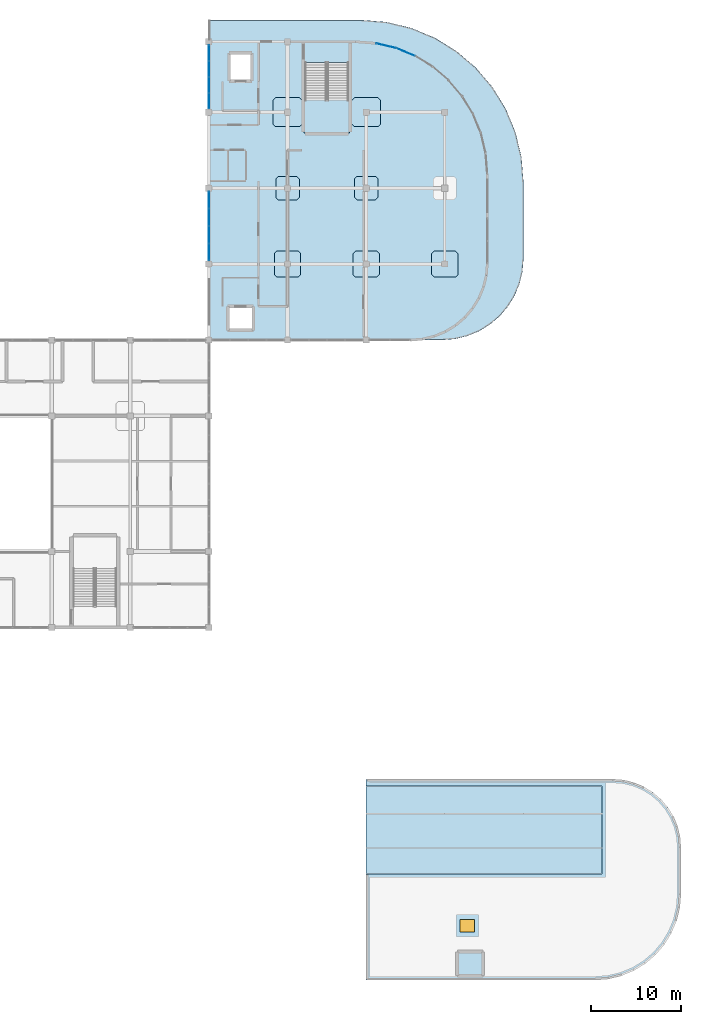
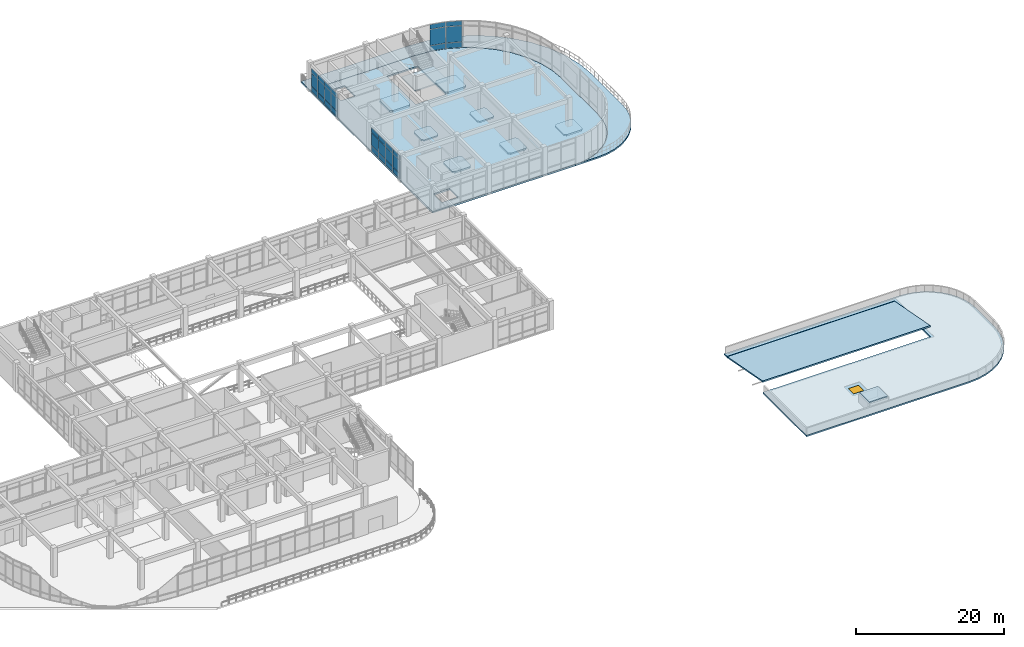
# One storey, part 58 of 76: 30 plates, 13 slabs, 1 window, 1 opening, 5 elements without a shape of their own.
"""IFC4 building model written with IfcOpenShell, lengths in metres."""

from ifc_helpers import new_model, si_unit, derived_unit, direction, frame, origin, origin_2d, place, context, subcontext, project, spatial, polyline, rectangle, outline, extrude, material, layer, layer_set, type_object, element, fill, aggregate, save


model = new_model("IFC4")

# Units and contexts
model_context = context("Model", 3, precision=1e-05, world=origin(), true_north=direction((0.0, 1.0)))
body_context = subcontext(model_context, "Body", "Model", "MODEL_VIEW")
ifc_project = project(units=[si_unit("LENGTHUNIT", "METRE"), si_unit("AREAUNIT", "SQUARE_METRE"), si_unit("VOLUMEUNIT", "CUBIC_METRE"), si_unit("PLANEANGLEUNIT", "RADIAN"), si_unit("MASSUNIT", "GRAM", prefix="KILO"), derived_unit("THERMALTRANSMITTANCEUNIT", [(si_unit("MASSUNIT", "GRAM", prefix="KILO"), 1), (si_unit("TIMEUNIT", "SECOND"), -3), (si_unit("THERMODYNAMICTEMPERATUREUNIT", "KELVIN"), -1)])], contexts=[model_context])

# Site, building, storey
site_placement = place(None, origin())
site = spatial("IfcSite", under=ifc_project, at=site_placement, CompositionType="ELEMENT")
building_placement = place(site_placement, origin())
building = spatial("IfcBuilding", under=site, at=building_placement, Name="Qinzheling Arcade Emporium", CompositionType="ELEMENT")
storey_placement = place(building_placement, frame((0.0, 0.0, 26.699951171875)))
storey = spatial("IfcBuildingStorey", under=building, at=storey_placement, Name="L06", CompositionType="ELEMENT", Elevation=26.699951171875)

# Slabs
ifc_material_1 = material(Name="Concrete C40", Category="concrete")
ifc_layer_1 = layer(ifc_material_1, 0.264892578125, Name="Concrete C40", Category="concrete")
ifc_layer_set_1 = layer_set([ifc_layer_1], Name="Concrete C40")
slab_type_1 = type_object("IfcSlabType", Name="Buying Office Flat Slab 265 C40", PredefinedType="FLOOR", material=ifc_layer_set_1)
slab_1_placement = place(storey_placement, frame((0.0, 0.0, -0.264892578125)))
element("IfcSlab", 1, at=slab_1_placement, inside=storey, type_object=slab_type_1, Name="Floor Slab SLB-L06-V6", PredefinedType="FLOOR", context=body_context, shape_type="SweptSolid", body=[
    extrude(outline(polyline([(104.39990234375, 106.800048828125), (104.39990234375, 73.800048828125), (126.699951171875, 73.800048828125), (128.030029296875, 73.905029296875), (129.326904296875, 74.216064453125), (130.55908203125, 74.72607421875), (131.696044921875, 75.423095703125), (132.7099609375, 76.2900390625), (133.576904296875, 77.303955078125), (134.27392578125, 78.44091796875), (134.783935546875, 79.673095703125), (135.094970703125, 80.969970703125), (135.199951171875, 82.300048828125), (135.199951171875, 92.199951171875), (135.02001953125, 94.48388671875), (134.485107421875, 96.7119140625), (133.60888671875, 98.827880859375), (132.412109375, 100.781982421875), (130.924072265625, 102.52392578125), (129.181884765625, 104.011962890625), (127.22802734375, 105.208984375), (125.112060546875, 106.0849609375), (122.884033203125, 106.6201171875), (120.60009765625, 106.800048828125), (104.39990234375, 106.800048828125)]), holes=[polyline([(119.844970703125, 96.800048828125), (115.054931640625, 96.800048828125), (115.054931640625, 104.47509765625), (119.844970703125, 104.47509765625), (119.844970703125, 96.800048828125)]), polyline([(109.14990234375, 75.050048828125), (106.64990234375, 75.050048828125), (106.64990234375, 77.35009765625), (109.14990234375, 77.35009765625), (109.14990234375, 75.050048828125)]), polyline([(109.0, 102.60009765625), (106.800048828125, 102.60009765625), (106.800048828125, 105.39990234375), (109.0, 105.39990234375), (109.0, 102.60009765625)])]), origin(), (0.0, 0.0, 1.0), 0.264892578125),
])
ifc_layer_2 = layer(ifc_material_1, 0.235107421875, Name="Concrete C40", Category="concrete")
ifc_layer_set_2 = layer_set([ifc_layer_2], Name="Concrete C40")
slab_type_2 = type_object("IfcSlabType", Name="Column Head Drop Panel 2600x2600x235 C40", PredefinedType="USERDEFINED", material=ifc_layer_set_2)
slab_2_placement = place(storey_placement, frame((0.0, 0.0, -0.5)))
element("IfcSlab", 2, at=slab_2_placement, inside=storey, type_object=slab_type_2, Name="Column Drop Panel DP-L06-14-L", ObjectType="DROP_PANEL", PredefinedType="USERDEFINED", context=body_context, shape_type="SweptSolid", body=[
    extrude(outline(polyline([(112.080078125, 89.300048828125), (114.1201171875, 89.300048828125), (114.39990234375, 89.580078125), (114.39990234375, 91.6201171875), (114.1201171875, 91.89990234375), (112.080078125, 91.89990234375), (111.800048828125, 91.6201171875), (111.800048828125, 89.580078125), (112.080078125, 89.300048828125)])), origin(), (0.0, 0.0, 1.0), 0.235107421875),
])
slab_3_placement = place(storey_placement, frame((0.0, 0.0, -0.5)))
element("IfcSlab", 3, at=slab_3_placement, inside=storey, type_object=slab_type_2, Name="Column Drop Panel DP-L06-15-L", ObjectType="DROP_PANEL", PredefinedType="USERDEFINED", context=body_context, shape_type="SweptSolid", body=[
    extrude(outline(polyline([(120.780029296875, 89.300048828125), (122.820068359375, 89.300048828125), (123.10009765625, 89.580078125), (123.10009765625, 91.6201171875), (122.820068359375, 91.89990234375), (120.780029296875, 91.89990234375), (120.5, 91.6201171875), (120.5, 89.580078125), (120.780029296875, 89.300048828125)])), origin(), (0.0, 0.0, 1.0), 0.235107421875),
])
ifc_layer_3 = layer(ifc_material_1, 0.27001953125, Name="Concrete C40", Category="concrete")
ifc_layer_set_3 = layer_set([ifc_layer_3], Name="Concrete C40")
slab_type_3 = type_object("IfcSlabType", Name="Column Head Drop Panel 2900x2900x270 C40", PredefinedType="USERDEFINED", material=ifc_layer_set_3)
slab_4_placement = place(storey_placement, frame((0.0, 0.0, -0.534912109375)))
element("IfcSlab", 4, at=slab_4_placement, inside=storey, type_object=slab_type_3, Name="Column Drop Panel DP-L06-14-K", ObjectType="DROP_PANEL", PredefinedType="USERDEFINED", context=body_context, shape_type="SweptSolid", body=[
    extrude(outline(polyline([(111.929931640625, 80.75), (114.27001953125, 80.75), (114.550048828125, 81.030029296875), (114.550048828125, 83.3701171875), (114.27001953125, 83.64990234375), (111.929931640625, 83.64990234375), (111.64990234375, 83.3701171875), (111.64990234375, 81.030029296875), (111.929931640625, 80.75)])), origin(), (0.0, 0.0, 1.0), 0.27001953125),
])
slab_5_placement = place(storey_placement, frame((0.0, 0.0, -0.534912109375)))
element("IfcSlab", 5, at=slab_5_placement, inside=storey, type_object=slab_type_3, Name="Column Drop Panel DP-L06-15-K", ObjectType="DROP_PANEL", PredefinedType="USERDEFINED", context=body_context, shape_type="SweptSolid", body=[
    extrude(outline(polyline([(120.6298828125, 80.75), (122.969970703125, 80.75), (123.25, 81.030029296875), (123.25, 83.3701171875), (122.969970703125, 83.64990234375), (120.6298828125, 83.64990234375), (120.35009765625, 83.3701171875), (120.35009765625, 81.030029296875), (120.6298828125, 80.75)])), origin(), (0.0, 0.0, 1.0), 0.27001953125),
])
slab_6_placement = place(storey_placement, frame((0.0, 0.0, -0.534912109375)))
element("IfcSlab", 6, at=slab_6_placement, inside=storey, type_object=slab_type_3, Name="Column Drop Panel DP-L06-16-K", ObjectType="DROP_PANEL", PredefinedType="USERDEFINED", context=body_context, shape_type="SweptSolid", body=[
    extrude(outline(polyline([(129.330078125, 80.75), (131.669921875, 80.75), (131.949951171875, 81.030029296875), (131.949951171875, 83.3701171875), (131.669921875, 83.64990234375), (129.330078125, 83.64990234375), (129.050048828125, 83.3701171875), (129.050048828125, 81.030029296875), (129.330078125, 80.75)])), origin(), (0.0, 0.0, 1.0), 0.27001953125),
])
ifc_layer_4 = layer(ifc_material_1, 0.300048828125, Name="Concrete C40", Category="concrete")
ifc_layer_set_4 = layer_set([ifc_layer_4], Name="Concrete C40")
slab_type_4 = type_object("IfcSlabType", Name="Column Head Drop Panel 3200x3200x300 C40", PredefinedType="USERDEFINED", material=ifc_layer_set_4)
slab_7_placement = place(storey_placement, frame((0.0, 0.0, -0.56494140625)))
element("IfcSlab", 7, at=slab_7_placement, inside=storey, type_object=slab_type_4, Name="Column Drop Panel DP-L06-14-M", ObjectType="DROP_PANEL", PredefinedType="USERDEFINED", context=body_context, shape_type="SweptSolid", body=[
    extrude(outline(polyline([(111.780029296875, 97.39990234375), (114.419921875, 97.39990234375), (114.699951171875, 97.679931640625), (114.699951171875, 100.320068359375), (114.419921875, 100.60009765625), (111.780029296875, 100.60009765625), (111.5, 100.320068359375), (111.5, 97.679931640625), (111.780029296875, 97.39990234375)])), origin(), (0.0, 0.0, 1.0), 0.300048828125),
])
slab_8_placement = place(storey_placement, frame((0.0, 0.0, -0.56494140625)))
element("IfcSlab", 8, at=slab_8_placement, inside=storey, type_object=slab_type_4, Name="Column Drop Panel DP-L06-15-M", ObjectType="DROP_PANEL", PredefinedType="USERDEFINED", context=body_context, shape_type="SweptSolid", body=[
    extrude(outline(polyline([(120.47998046875, 97.39990234375), (123.1201171875, 97.39990234375), (123.39990234375, 97.679931640625), (123.39990234375, 100.320068359375), (123.1201171875, 100.60009765625), (120.47998046875, 100.60009765625), (120.199951171875, 100.320068359375), (120.199951171875, 97.679931640625), (120.47998046875, 97.39990234375)])), origin(), (0.0, 0.0, 1.0), 0.300048828125),
])

# Slab, opening, window
ifc_layer_5 = layer(ifc_material_1, 0.239990234375, Name="Concrete C40", Category="concrete")
ifc_layer_set_5 = layer_set([ifc_layer_5], Name="Concrete C40")
slab_type_5 = type_object("IfcSlabType", Name="Insulated Flat Roof Slab 240 C40", PredefinedType="ROOF", material=ifc_layer_set_5)
slab_9_placement = place(storey_placement, frame((0.0, 0.0, -0.239990234375)))
slab_9 = element("IfcSlab", 9, at=slab_9_placement, inside=storey, type_object=slab_type_5, Name="Roof Slab SLB-RF-V4", PredefinedType="ROOF", context=body_context, shape_type="SweptSolid", body=[
    extrude(outline(polyline([(121.800048828125, 24.449951171875), (147.89990234375, 24.449951171875), (147.89990234375, 14.75), (121.800048828125, 14.75), (121.800048828125, 3.0), (147.10009765625, 3.0), (148.5859375, 3.116943359375), (150.035888671875, 3.465087890625), (151.4130859375, 4.034912109375), (152.68408203125, 4.81396484375), (153.818115234375, 5.781982421875), (154.785888671875, 6.916015625), (155.56494140625, 8.18701171875), (156.135009765625, 9.56396484375), (156.48291015625, 11.013916015625), (156.60009765625, 12.5), (156.60009765625, 17.699951171875), (156.508056640625, 18.873046875), (156.23291015625, 20.01806640625), (155.782958984375, 21.10498046875), (155.16796875, 22.10791015625), (154.403076171875, 23.0029296875), (153.508056640625, 23.76806640625), (152.5048828125, 24.383056640625), (151.41796875, 24.8330078125), (150.27294921875, 25.10791015625), (149.10009765625, 25.199951171875), (121.800048828125, 25.199951171875), (121.800048828125, 24.449951171875)])), origin(), (0.0, 0.0, 1.0), 0.239990234375),
])
opening_placement = place(slab_9_placement, frame((133.0, 9.0, -0.010009765625)))
opening = element("IfcOpeningElement", 10, at=opening_placement, cuts=slab_9, Name="Opening RH02", PredefinedType="OPENING", context=body_context, shape_type="SweptSolid", body=[
    extrude(rectangle(XDim=1.60009765625, YDim=1.39990234375, at=origin_2d()), origin(), (0.0, 0.0, 1.0), 0.260009765625),
])
ifc_material_2 = material(Name="Insulated aluminium skylight hatch", Category="aluminium")
window_type = type_object("IfcWindowType", Name="Insulated Roof Smoke and Access Hatch 1600x1400", PartitioningType="SINGLE_PANEL", PredefinedType="SKYLIGHT", material=ifc_material_2)
window_placement = place(opening_placement, frame((0.0, 0.0, 0.199951171875)))
window = element("IfcWindow", 11, at=window_placement, inside=storey, type_object=window_type, Name="RH02 Roof Hatch RHT-L06-06", OverallHeight=1.39990234375, OverallWidth=1.60009765625, PartitioningType="SINGLE_PANEL", PredefinedType="SKYLIGHT", context=body_context, shape_type="SweptSolid", body=[
    extrude(rectangle(XDim=1.60009765625, YDim=1.39990234375, at=origin_2d()), origin(), (0.0, 0.0, 1.0), 0.050048828125),
])
fill(opening, window)

# Slab
ifc_layer_6 = layer(ifc_material_1, 0.18994140625, Name="Concrete C40", Category="concrete")
ifc_layer_set_6 = layer_set([ifc_layer_6], Name="Concrete C40")
slab_type_6 = type_object("IfcSlabType", Name="Lift Overrun Roof Slab 190 C40", PredefinedType="ROOF", material=ifc_layer_set_6)
slab_10_placement = place(storey_placement, frame((0.0, 0.0, 1.5)))
element("IfcSlab", 12, at=slab_10_placement, inside=storey, type_object=slab_type_6, Name="Lift Overrun Roof SLB-OVR-LP05", PredefinedType="ROOF", context=body_context, shape_type="SweptSolid", body=[
    extrude(outline(polyline([(131.875, 3.47509765625), (134.72509765625, 3.47509765625), (134.72509765625, 6.125), (131.875, 6.125), (131.875, 3.47509765625)])), origin(), (0.0, 0.0, 1.0), 0.18994140625),
])

# Curtain wall, plates
ifc_material_3 = material(Name="Anodised aluminium and solar-control double glazing", Category="aluminium")
ifc_layer_7 = layer(ifc_material_3, 0.159912109375, Name="Anodised aluminium and solar-control double glazing", Category="aluminium")
ifc_layer_set_7 = layer_set([ifc_layer_7], Name="Anodised aluminium and solar-control double glazing")
curtain_wall_type_1 = type_object("IfcCurtainWallType", Name="Arcade Portal Glazed Curtain Wall", PredefinedType="NOTDEFINED", material=ifc_layer_set_7)
curtain_wall_1_placement = place(storey_placement, origin())
curtain_wall_1 = element("IfcCurtainWall", 13, at=curtain_wall_1_placement, inside=storey, type_object=curtain_wall_type_1, Name="Curtain Wall CW-L06-382", PredefinedType="NOTDEFINED")
ifc_material_4 = material(Name="Laminated solar-control double glazing", Category="glass")
ifc_layer_8 = layer(ifc_material_4, 0.02490234375, Name="Laminated solar-control double glazing", Category="glass")
ifc_layer_set_8 = layer_set([ifc_layer_8], Name="Laminated solar-control double glazing")
plate_type_1 = type_object("IfcPlateType", Name="Low-E Double Glazed Curtain Panel 25mm", PredefinedType="CURTAIN_PANEL", material=ifc_layer_set_8)
plate_1_placement = place(storey_placement, frame((104.39990234375, 83.529052734375, 0.06005859375), z_axis=(0.0, 0.0, 1.0), x_axis=(0.0, 1.0, 0.0)))
plate_1 = element("IfcPlate", 14, at=plate_1_placement, type_object=plate_type_1, Name="CW05 panel 1.1", PredefinedType="CURTAIN_PANEL", context=body_context, shape_type="SweptSolid", body=[
    extrude(rectangle(XDim=1.833984375, YDim=0.02490234375, at=origin_2d()), origin(), (0.0, 0.0, 1.0), 0.860107421875),
])
plate_2_placement = place(storey_placement, frame((104.39990234375, 83.529052734375, 0.97998046875), z_axis=(0.0, 0.0, 1.0), x_axis=(0.0, 1.0, 0.0)))
plate_2 = element("IfcPlate", 15, at=plate_2_placement, type_object=plate_type_1, Name="CW05 panel 1.2", PredefinedType="CURTAIN_PANEL", context=body_context, shape_type="SweptSolid", body=[
    extrude(rectangle(XDim=1.833984375, YDim=0.02490234375, at=origin_2d()), origin(), (0.0, 0.0, 1.0), 2.110107421875),
])
plate_3_placement = place(storey_placement, frame((104.39990234375, 83.529052734375, 3.14990234375), z_axis=(0.0, 0.0, 1.0), x_axis=(0.0, 1.0, 0.0)))
plate_3 = element("IfcPlate", 16, at=plate_3_placement, type_object=plate_type_1, Name="CW05 panel 1.3", PredefinedType="CURTAIN_PANEL", context=body_context, shape_type="SweptSolid", body=[
    extrude(rectangle(XDim=1.833984375, YDim=0.02490234375, at=origin_2d()), origin(), (0.0, 0.0, 1.0), 0.760009765625),
])
plate_4_placement = place(storey_placement, frame((104.39990234375, 85.43798828125, 0.06005859375), z_axis=(0.0, 0.0, 1.0), x_axis=(0.0, 1.0, 0.0)))
plate_4 = element("IfcPlate", 17, at=plate_4_placement, type_object=plate_type_1, Name="CW05 panel 2.1", PredefinedType="CURTAIN_PANEL", context=body_context, shape_type="SweptSolid", body=[
    extrude(rectangle(XDim=1.864013671875, YDim=0.02490234375, at=origin_2d()), origin(), (0.0, 0.0, 1.0), 0.860107421875),
])
plate_5_placement = place(storey_placement, frame((104.39990234375, 85.43798828125, 0.97998046875), z_axis=(0.0, 0.0, 1.0), x_axis=(0.0, 1.0, 0.0)))
plate_5 = element("IfcPlate", 18, at=plate_5_placement, type_object=plate_type_1, Name="CW05 panel 2.2", PredefinedType="CURTAIN_PANEL", context=body_context, shape_type="SweptSolid", body=[
    extrude(rectangle(XDim=1.864013671875, YDim=0.02490234375, at=origin_2d()), origin(), (0.0, 0.0, 1.0), 2.110107421875),
])
plate_6_placement = place(storey_placement, frame((104.39990234375, 85.43798828125, 3.14990234375), z_axis=(0.0, 0.0, 1.0), x_axis=(0.0, 1.0, 0.0)))
plate_6 = element("IfcPlate", 19, at=plate_6_placement, type_object=plate_type_1, Name="CW05 panel 2.3", PredefinedType="CURTAIN_PANEL", context=body_context, shape_type="SweptSolid", body=[
    extrude(rectangle(XDim=1.864013671875, YDim=0.02490234375, at=origin_2d()), origin(), (0.0, 0.0, 1.0), 0.760009765625),
])
plate_7_placement = place(storey_placement, frame((104.39990234375, 87.362060546875, 0.06005859375), z_axis=(0.0, 0.0, 1.0), x_axis=(0.0, 1.0, 0.0)))
plate_7 = element("IfcPlate", 20, at=plate_7_placement, type_object=plate_type_1, Name="CW05 panel 3.1", PredefinedType="CURTAIN_PANEL", context=body_context, shape_type="SweptSolid", body=[
    extrude(rectangle(XDim=1.864013671875, YDim=0.02490234375, at=origin_2d()), origin(), (0.0, 0.0, 1.0), 0.860107421875),
])
plate_8_placement = place(storey_placement, frame((104.39990234375, 87.362060546875, 0.97998046875), z_axis=(0.0, 0.0, 1.0), x_axis=(0.0, 1.0, 0.0)))
plate_8 = element("IfcPlate", 21, at=plate_8_placement, type_object=plate_type_1, Name="CW05 panel 3.2", PredefinedType="CURTAIN_PANEL", context=body_context, shape_type="SweptSolid", body=[
    extrude(rectangle(XDim=1.864013671875, YDim=0.02490234375, at=origin_2d()), origin(), (0.0, 0.0, 1.0), 2.110107421875),
])
plate_9_placement = place(storey_placement, frame((104.39990234375, 87.362060546875, 3.14990234375), z_axis=(0.0, 0.0, 1.0), x_axis=(0.0, 1.0, 0.0)))
plate_9 = element("IfcPlate", 22, at=plate_9_placement, type_object=plate_type_1, Name="CW05 panel 3.3", PredefinedType="CURTAIN_PANEL", context=body_context, shape_type="SweptSolid", body=[
    extrude(rectangle(XDim=1.864013671875, YDim=0.02490234375, at=origin_2d()), origin(), (0.0, 0.0, 1.0), 0.760009765625),
])
plate_10_placement = place(storey_placement, frame((104.39990234375, 89.27099609375, 0.06005859375), z_axis=(0.0, 0.0, 1.0), x_axis=(0.0, 1.0, 0.0)))
plate_10 = element("IfcPlate", 23, at=plate_10_placement, type_object=plate_type_1, Name="CW05 panel 4.1", PredefinedType="CURTAIN_PANEL", context=body_context, shape_type="SweptSolid", body=[
    extrude(rectangle(XDim=1.833984375, YDim=0.02490234375, at=origin_2d()), origin(), (0.0, 0.0, 1.0), 0.860107421875),
])
plate_11_placement = place(storey_placement, frame((104.39990234375, 89.27099609375, 0.97998046875), z_axis=(0.0, 0.0, 1.0), x_axis=(0.0, 1.0, 0.0)))
plate_11 = element("IfcPlate", 24, at=plate_11_placement, type_object=plate_type_1, Name="CW05 panel 4.2", PredefinedType="CURTAIN_PANEL", context=body_context, shape_type="SweptSolid", body=[
    extrude(rectangle(XDim=1.833984375, YDim=0.02490234375, at=origin_2d()), origin(), (0.0, 0.0, 1.0), 2.110107421875),
])
plate_12_placement = place(storey_placement, frame((104.39990234375, 89.27099609375, 3.14990234375), z_axis=(0.0, 0.0, 1.0), x_axis=(0.0, 1.0, 0.0)))
plate_12 = element("IfcPlate", 25, at=plate_12_placement, type_object=plate_type_1, Name="CW05 panel 4.3", PredefinedType="CURTAIN_PANEL", context=body_context, shape_type="SweptSolid", body=[
    extrude(rectangle(XDim=1.833984375, YDim=0.02490234375, at=origin_2d()), origin(), (0.0, 0.0, 1.0), 0.760009765625),
])
aggregate(curtain_wall_1, [plate_1, plate_2, plate_3, plate_4, plate_5, plate_6, plate_7, plate_8, plate_9, plate_10, plate_11, plate_12])

curtain_wall_2_placement = place(storey_placement, origin())
curtain_wall_2 = element("IfcCurtainWall", 26, at=curtain_wall_2_placement, inside=storey, type_object=curtain_wall_type_1, Name="Curtain Wall CW-L06-383", PredefinedType="NOTDEFINED")
ifc_layer_9 = layer(ifc_material_4, 0.02587890625, Name="Laminated solar-control double glazing", Category="glass")
ifc_layer_set_9 = layer_set([ifc_layer_9], Name="Laminated solar-control double glazing")
plate_type_2 = type_object("IfcPlateType", Name="Low-E Double Glazed Curtain Panel 26mm", PredefinedType="CURTAIN_PANEL", material=ifc_layer_set_9)
plate_13_placement = place(storey_placement, frame((104.39990234375, 100.25390625, 0.06005859375), z_axis=(0.0, 0.0, 1.0), x_axis=(0.0, 1.0, 0.0)))
plate_13 = element("IfcPlate", 27, at=plate_13_placement, type_object=plate_type_2, Name="CW05 panel 1.1", PredefinedType="CURTAIN_PANEL", context=body_context, shape_type="SweptSolid", body=[
    extrude(rectangle(XDim=1.68408203125, YDim=0.02587890625, at=origin_2d()), origin(), (0.0, 0.0, 1.0), 0.860107421875),
])
plate_14_placement = place(storey_placement, frame((104.39990234375, 100.25390625, 0.97998046875), z_axis=(0.0, 0.0, 1.0), x_axis=(0.0, 1.0, 0.0)))
plate_14 = element("IfcPlate", 28, at=plate_14_placement, type_object=plate_type_2, Name="CW05 panel 1.2", PredefinedType="CURTAIN_PANEL", context=body_context, shape_type="SweptSolid", body=[
    extrude(rectangle(XDim=1.68408203125, YDim=0.02587890625, at=origin_2d()), origin(), (0.0, 0.0, 1.0), 2.110107421875),
])
plate_15_placement = place(storey_placement, frame((104.39990234375, 100.25390625, 3.14990234375), z_axis=(0.0, 0.0, 1.0), x_axis=(0.0, 1.0, 0.0)))
plate_15 = element("IfcPlate", 29, at=plate_15_placement, type_object=plate_type_2, Name="CW05 panel 1.3", PredefinedType="CURTAIN_PANEL", context=body_context, shape_type="SweptSolid", body=[
    extrude(rectangle(XDim=1.68408203125, YDim=0.02587890625, at=origin_2d()), origin(), (0.0, 0.0, 1.0), 0.760009765625),
])
plate_16_placement = place(storey_placement, frame((104.39990234375, 102.012939453125, 0.06005859375), z_axis=(0.0, 0.0, 1.0), x_axis=(0.0, 1.0, 0.0)))
plate_16 = element("IfcPlate", 30, at=plate_16_placement, type_object=plate_type_2, Name="CW05 panel 2.1", PredefinedType="CURTAIN_PANEL", context=body_context, shape_type="SweptSolid", body=[
    extrude(rectangle(XDim=1.714111328125, YDim=0.02587890625, at=origin_2d()), origin(), (0.0, 0.0, 1.0), 0.860107421875),
])
plate_17_placement = place(storey_placement, frame((104.39990234375, 102.012939453125, 0.97998046875), z_axis=(0.0, 0.0, 1.0), x_axis=(0.0, 1.0, 0.0)))
plate_17 = element("IfcPlate", 31, at=plate_17_placement, type_object=plate_type_2, Name="CW05 panel 2.2", PredefinedType="CURTAIN_PANEL", context=body_context, shape_type="SweptSolid", body=[
    extrude(rectangle(XDim=1.714111328125, YDim=0.02587890625, at=origin_2d()), origin(), (0.0, 0.0, 1.0), 2.110107421875),
])
plate_18_placement = place(storey_placement, frame((104.39990234375, 102.012939453125, 3.14990234375), z_axis=(0.0, 0.0, 1.0), x_axis=(0.0, 1.0, 0.0)))
plate_18 = element("IfcPlate", 32, at=plate_18_placement, type_object=plate_type_2, Name="CW05 panel 2.3", PredefinedType="CURTAIN_PANEL", context=body_context, shape_type="SweptSolid", body=[
    extrude(rectangle(XDim=1.714111328125, YDim=0.02587890625, at=origin_2d()), origin(), (0.0, 0.0, 1.0), 0.760009765625),
])
plate_19_placement = place(storey_placement, frame((104.39990234375, 103.787109375, 0.06005859375), z_axis=(0.0, 0.0, 1.0), x_axis=(0.0, 1.0, 0.0)))
plate_19 = element("IfcPlate", 33, at=plate_19_placement, type_object=plate_type_2, Name="CW05 panel 3.1", PredefinedType="CURTAIN_PANEL", context=body_context, shape_type="SweptSolid", body=[
    extrude(rectangle(XDim=1.714111328125, YDim=0.02587890625, at=origin_2d()), origin(), (0.0, 0.0, 1.0), 0.860107421875),
])
plate_20_placement = place(storey_placement, frame((104.39990234375, 103.787109375, 0.97998046875), z_axis=(0.0, 0.0, 1.0), x_axis=(0.0, 1.0, 0.0)))
plate_20 = element("IfcPlate", 34, at=plate_20_placement, type_object=plate_type_2, Name="CW05 panel 3.2", PredefinedType="CURTAIN_PANEL", context=body_context, shape_type="SweptSolid", body=[
    extrude(rectangle(XDim=1.714111328125, YDim=0.02587890625, at=origin_2d()), origin(), (0.0, 0.0, 1.0), 2.110107421875),
])
plate_21_placement = place(storey_placement, frame((104.39990234375, 103.787109375, 3.14990234375), z_axis=(0.0, 0.0, 1.0), x_axis=(0.0, 1.0, 0.0)))
plate_21 = element("IfcPlate", 35, at=plate_21_placement, type_object=plate_type_2, Name="CW05 panel 3.3", PredefinedType="CURTAIN_PANEL", context=body_context, shape_type="SweptSolid", body=[
    extrude(rectangle(XDim=1.714111328125, YDim=0.02587890625, at=origin_2d()), origin(), (0.0, 0.0, 1.0), 0.760009765625),
])
plate_22_placement = place(storey_placement, frame((104.39990234375, 105.5458984375, 0.06005859375), z_axis=(0.0, 0.0, 1.0), x_axis=(0.0, 1.0, 0.0)))
plate_22 = element("IfcPlate", 36, at=plate_22_placement, type_object=plate_type_2, Name="CW05 panel 4.1", PredefinedType="CURTAIN_PANEL", context=body_context, shape_type="SweptSolid", body=[
    extrude(rectangle(XDim=1.68408203125, YDim=0.02587890625, at=origin_2d()), origin(), (0.0, 0.0, 1.0), 0.860107421875),
])
plate_23_placement = place(storey_placement, frame((104.39990234375, 105.5458984375, 0.97998046875), z_axis=(0.0, 0.0, 1.0), x_axis=(0.0, 1.0, 0.0)))
plate_23 = element("IfcPlate", 37, at=plate_23_placement, type_object=plate_type_2, Name="CW05 panel 4.2", PredefinedType="CURTAIN_PANEL", context=body_context, shape_type="SweptSolid", body=[
    extrude(rectangle(XDim=1.68408203125, YDim=0.02587890625, at=origin_2d()), origin(), (0.0, 0.0, 1.0), 2.110107421875),
])
plate_24_placement = place(storey_placement, frame((104.39990234375, 105.5458984375, 3.14990234375), z_axis=(0.0, 0.0, 1.0), x_axis=(0.0, 1.0, 0.0)))
plate_24 = element("IfcPlate", 38, at=plate_24_placement, type_object=plate_type_2, Name="CW05 panel 4.3", PredefinedType="CURTAIN_PANEL", context=body_context, shape_type="SweptSolid", body=[
    extrude(rectangle(XDim=1.68408203125, YDim=0.02587890625, at=origin_2d()), origin(), (0.0, 0.0, 1.0), 0.760009765625),
])
aggregate(curtain_wall_2, [plate_13, plate_14, plate_15, plate_16, plate_17, plate_18, plate_19, plate_20, plate_21, plate_22, plate_23, plate_24])

ifc_layer_10 = layer(ifc_material_3, 0.159912109375, Name="Anodised aluminium and solar-control double glazing", Category="aluminium")
ifc_layer_set_10 = layer_set([ifc_layer_10], Name="Anodised aluminium and solar-control double glazing")
curtain_wall_type_2 = type_object("IfcCurtainWallType", Name="Curved Ribbon Sales Curtain Wall", PredefinedType="NOTDEFINED", material=ifc_layer_set_10)
curtain_wall_3_placement = place(storey_placement, origin())
curtain_wall_3 = element("IfcCurtainWall", 39, at=curtain_wall_3_placement, inside=storey, type_object=curtain_wall_type_2, Name="Curtain Wall CW-L06-384", PredefinedType="NOTDEFINED")
ifc_layer_11 = layer(ifc_material_4, 0.027099609375, Name="Laminated solar-control double glazing", Category="glass")
ifc_layer_set_11 = layer_set([ifc_layer_11], Name="Laminated solar-control double glazing")
plate_type_3 = type_object("IfcPlateType", Name="Low-E Double Glazed Curtain Panel 27mm", PredefinedType="CURTAIN_PANEL", material=ifc_layer_set_11)
plate_25_placement = place(storey_placement, frame((123.998046875, 106.3525390625, 0.06005859375), z_axis=(0.0, 0.0, 1.0), x_axis=(0.972359564501, -0.233488495058, 0.0)))
plate_25 = element("IfcPlate", 40, at=plate_25_placement, type_object=plate_type_3, Name="CW02 panel 1.1", PredefinedType="CURTAIN_PANEL", context=body_context, shape_type="SweptSolid", body=[
    extrude(rectangle(XDim=2.17138671875, YDim=0.027099609375, at=origin_2d()), origin(), (0.0, 0.0, 1.0), 0.860107421875),
])
plate_26_placement = place(storey_placement, frame((123.998046875, 106.3525390625, 0.980224609375), z_axis=(0.0, 0.0, 1.0), x_axis=(0.972359564501, -0.233488495058, 0.0)))
plate_26 = element("IfcPlate", 41, at=plate_26_placement, type_object=plate_type_3, Name="CW02 panel 1.2", PredefinedType="CURTAIN_PANEL", context=body_context, shape_type="SweptSolid", body=[
    extrude(rectangle(XDim=2.17138671875, YDim=0.027099609375, at=origin_2d()), origin(), (0.0, 0.0, 1.0), 2.6298828125),
])
plate_27_placement = place(storey_placement, frame((123.998046875, 106.3525390625, 3.669921875), z_axis=(0.0, 0.0, 1.0), x_axis=(0.972359564501, -0.233488495058, 0.0)))
plate_27 = element("IfcPlate", 42, at=plate_27_placement, type_object=plate_type_3, Name="CW02 panel 1.3", PredefinedType="CURTAIN_PANEL", context=body_context, shape_type="SweptSolid", body=[
    extrude(rectangle(XDim=2.17138671875, YDim=0.027099609375, at=origin_2d()), origin(), (0.0, 0.0, 1.0), 0.760009765625),
])
aggregate(curtain_wall_3, [plate_25, plate_26, plate_27])

curtain_wall_4_placement = place(storey_placement, origin())
curtain_wall_4 = element("IfcCurtainWall", 43, at=curtain_wall_4_placement, inside=storey, type_object=curtain_wall_type_2, Name="Curtain Wall CW-L06-385", PredefinedType="NOTDEFINED")
ifc_layer_12 = layer(ifc_material_4, 0.028076171875, Name="Laminated solar-control double glazing", Category="glass")
ifc_layer_set_12 = layer_set([ifc_layer_12], Name="Laminated solar-control double glazing")
plate_type_4 = type_object("IfcPlateType", Name="Low-E Double Glazed Curtain Panel 28mm", PredefinedType="CURTAIN_PANEL", material=ifc_layer_set_12)
plate_28_placement = place(storey_placement, frame((126.169921875, 105.64697265625, 0.06005859375), z_axis=(0.0, 0.0, 1.0), x_axis=(0.923952984308, -0.382506055886, 0.0)))
plate_28 = element("IfcPlate", 44, at=plate_28_placement, type_object=plate_type_4, Name="CW02 panel 1.1", PredefinedType="CURTAIN_PANEL", context=body_context, shape_type="SweptSolid", body=[
    extrude(rectangle(XDim=2.170166015625, YDim=0.028076171875, at=origin_2d()), origin(), (0.0, 0.0, 1.0), 0.860107421875),
])
plate_29_placement = place(storey_placement, frame((126.169921875, 105.64697265625, 0.980224609375), z_axis=(0.0, 0.0, 1.0), x_axis=(0.923952984308, -0.382506055886, 0.0)))
plate_29 = element("IfcPlate", 45, at=plate_29_placement, type_object=plate_type_4, Name="CW02 panel 1.2", PredefinedType="CURTAIN_PANEL", context=body_context, shape_type="SweptSolid", body=[
    extrude(rectangle(XDim=2.170166015625, YDim=0.028076171875, at=origin_2d()), origin(), (0.0, 0.0, 1.0), 2.6298828125),
])
plate_30_placement = place(storey_placement, frame((126.169921875, 105.64697265625, 3.669921875), z_axis=(0.0, 0.0, 1.0), x_axis=(0.923952984308, -0.382506055886, 0.0)))
plate_30 = element("IfcPlate", 46, at=plate_30_placement, type_object=plate_type_4, Name="CW02 panel 1.3", PredefinedType="CURTAIN_PANEL", context=body_context, shape_type="SweptSolid", body=[
    extrude(rectangle(XDim=2.170166015625, YDim=0.028076171875, at=origin_2d()), origin(), (0.0, 0.0, 1.0), 0.760009765625),
])
aggregate(curtain_wall_4, [plate_28, plate_29, plate_30])

# Slabs
ifc_layer_13 = layer(ifc_material_1, 0.25, Name="Concrete C40", Category="concrete")
ifc_layer_set_13 = layer_set([ifc_layer_13], Name="Concrete C40")
slab_type_7 = type_object("IfcSlabType", Name="Outdoor Dining Terrace Slab 250 C40", PredefinedType="FLOOR", material=ifc_layer_set_13)
slab_11_placement = place(storey_placement, frame((0.0, 0.0, -0.25)))
element("IfcSlab", 47, at=slab_11_placement, inside=storey, type_object=slab_type_7, Name="Outdoor Terrace SLB-TR-V6-L06", PredefinedType="FLOOR", context=body_context, shape_type="SweptSolid", body=[
    extrude(outline(polyline([(104.39990234375, 109.199951171875), (104.39990234375, 106.800048828125), (120.60009765625, 106.800048828125), (122.884033203125, 106.6201171875), (125.112060546875, 106.0849609375), (127.22802734375, 105.208984375), (129.181884765625, 104.011962890625), (130.924072265625, 102.52392578125), (132.412109375, 100.781982421875), (133.60888671875, 98.827880859375), (134.485107421875, 96.7119140625), (135.02001953125, 94.48388671875), (135.199951171875, 92.199951171875), (135.199951171875, 82.300048828125), (135.094970703125, 80.969970703125), (134.783935546875, 79.673095703125), (134.27392578125, 78.44091796875), (133.576904296875, 77.303955078125), (132.7099609375, 76.2900390625), (131.696044921875, 75.423095703125), (130.55908203125, 74.72607421875), (129.326904296875, 74.216064453125), (128.030029296875, 73.905029296875), (126.699951171875, 73.800048828125), (130.199951171875, 73.800048828125), (131.60791015625, 73.910888671875), (132.98095703125, 74.239990234375), (134.285888671875, 74.781005859375), (135.489990234375, 75.51904296875), (136.56396484375, 76.43603515625), (137.48095703125, 77.510009765625), (138.218994140625, 78.714111328125), (138.760009765625, 80.01904296875), (139.089111328125, 81.39208984375), (139.199951171875, 82.800048828125), (139.199951171875, 91.199951171875), (138.97802734375, 94.01611328125), (138.319091796875, 96.761962890625), (137.238037109375, 99.3720703125), (135.761962890625, 101.780029296875), (133.927978515625, 103.927978515625), (131.780029296875, 105.761962890625), (129.3720703125, 107.238037109375), (126.761962890625, 108.319091796875), (124.01611328125, 108.97802734375), (121.199951171875, 109.199951171875), (104.39990234375, 109.199951171875)])), origin(), (0.0, 0.0, 1.0), 0.25),
])
ifc_layer_14 = layer(ifc_material_1, 0.2099609375, Name="Concrete C40", Category="concrete")
ifc_layer_set_14 = layer_set([ifc_layer_14], Name="Concrete C40")
slab_type_8 = type_object("IfcSlabType", Name="Sloped Typhoon Storm Eave Roof Slab 210 C40", PredefinedType="ROOF", material=ifc_layer_set_14)
slab_12_placement = place(storey_placement, frame((121.800048828125, 14.800048828125, 1.800048828125), z_axis=(0.0, 0.18429608103, 0.982870772033), x_axis=(1.0, 0.0, 0.0)))
element("IfcSlab", 48, at=slab_12_placement, inside=storey, type_object=slab_type_8, Name="Sloped Storm Eave SLB-EAVE-V4N", PredefinedType="ROOF", context=body_context, shape_type="SweptSolid", body=[
    extrude(outline(polyline([(0.0, 0.0), (26.099853515625, 0.0), (26.099853515625, 9.767157380993298), (0.0, 9.767157380993298), (0.0, 0.0)])), origin(), (0.0, 0.0, -1.0), 0.2099609375),
])

# Stair, slab
stair_type = type_object("IfcStairType", Name="Cast-in-Situ Dog-Leg Escape Stair H4800", PredefinedType="HALF_TURN_STAIR", material=ifc_material_1)
stair_placement = place(storey_placement, origin())
stair = element("IfcStair", 49, at=stair_placement, inside=storey, type_object=stair_type, Name="L06 ST08", PredefinedType="HALF_TURN_STAIR")
ifc_layer_15 = layer(ifc_material_1, 0.199951171875, Name="Concrete C40", Category="concrete")
ifc_layer_set_15 = layer_set([ifc_layer_15], Name="Concrete C40")
slab_type_9 = type_object("IfcSlabType", Name="Stair Half-Turn Landing Slab 200 C40", PredefinedType="LANDING", material=ifc_layer_set_15)
slab_13_placement = place(storey_placement, frame((0.0, 0.0, 2.199951171875)))
slab_13 = element("IfcSlab", 50, at=slab_13_placement, type_object=slab_type_9, Name="ST08 landing 1", PredefinedType="LANDING", context=body_context, shape_type="SweptSolid", body=[
    extrude(outline(polyline([(114.93505859375, 100.39990234375), (119.965087890625, 100.39990234375), (119.965087890625, 96.679931640625), (114.93505859375, 96.679931640625), (114.93505859375, 100.39990234375)])), origin(), (0.0, 0.0, 1.0), 0.2001953125),
])
aggregate(stair, [slab_13])

save(model, "model.ifc")
